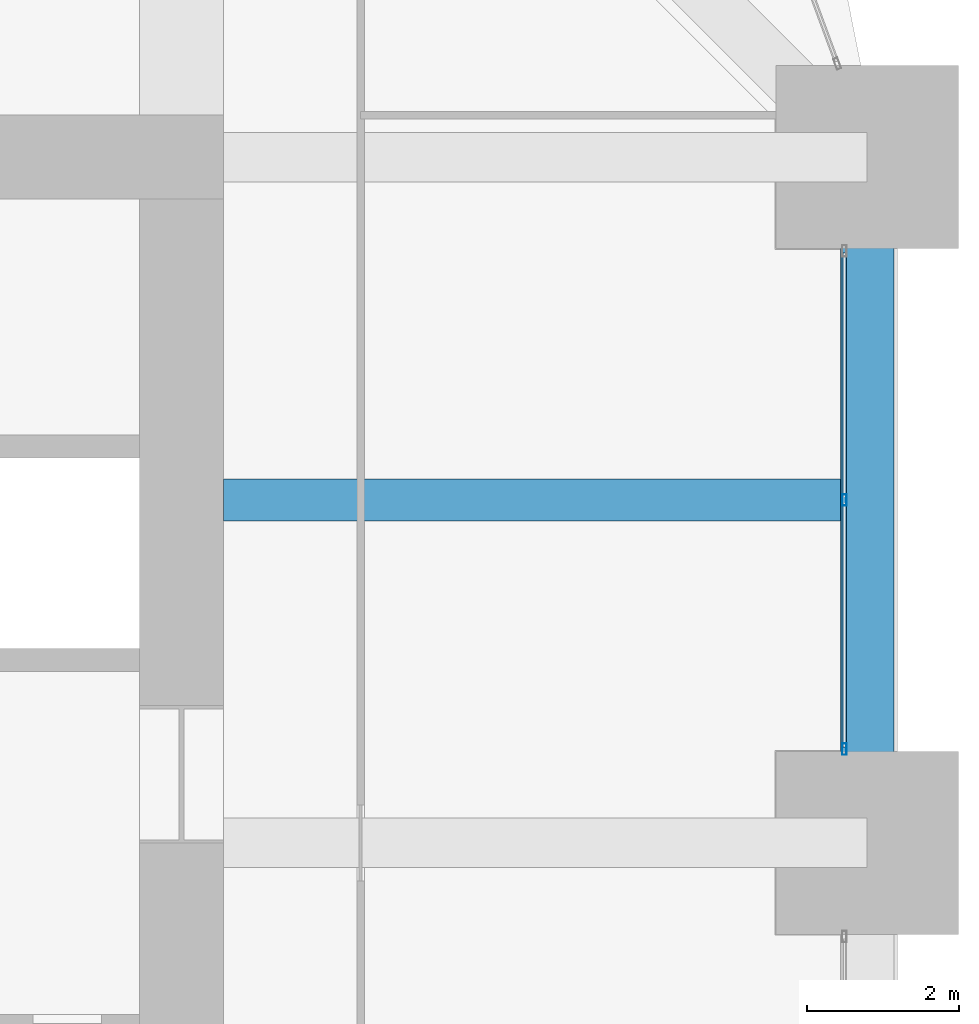
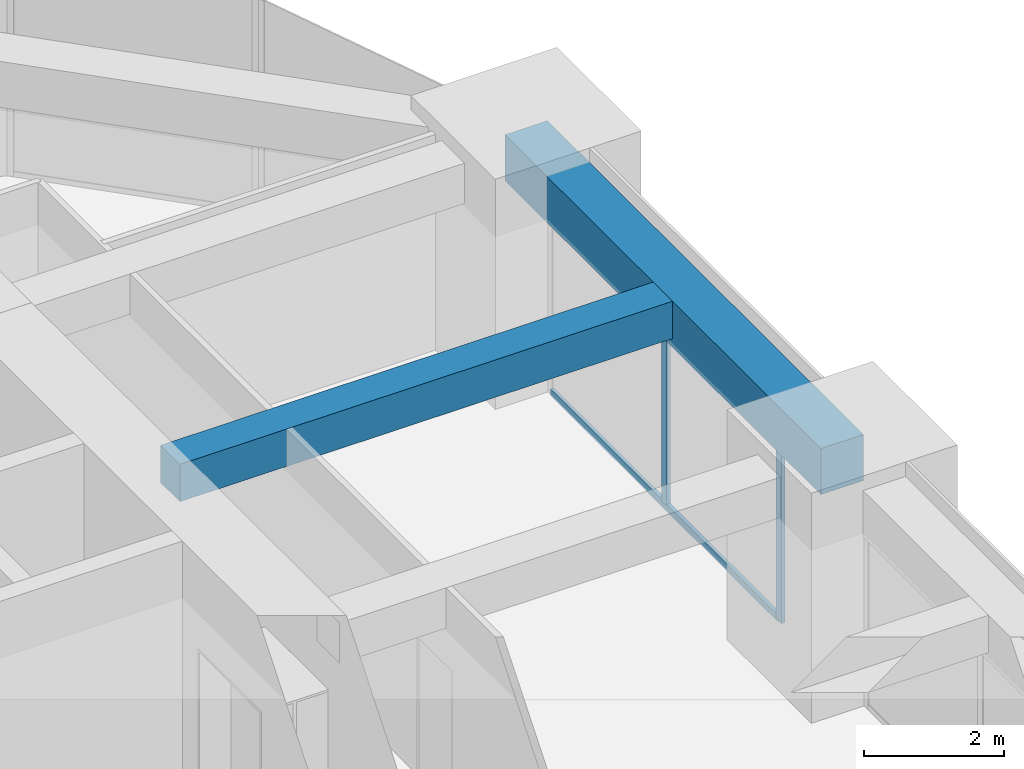
# One storey, part 19 of 34: 3 members, 2 beams, 1 element without a shape of its own.
"""IFC4 building model written with IfcOpenShell, lengths in metres."""

from ifc_helpers import new_model, si_unit, direction, frame, origin, origin_2d, place, context, subcontext, project, spatial, rectangle, hollow_rectangle, extrude, material, material_profile, profile_set, type_object, element, aggregate, save


model = new_model("IFC4")

# Units and contexts
model_context = context("Model", 3, precision=1e-05, world=origin(), true_north=direction((0.0, 1.0)))
body_context = subcontext(model_context, "Body", "Model", "MODEL_VIEW")
ifc_project = project(units=[si_unit("LENGTHUNIT", "METRE"), si_unit("AREAUNIT", "SQUARE_METRE"), si_unit("VOLUMEUNIT", "CUBIC_METRE"), si_unit("PLANEANGLEUNIT", "RADIAN"), si_unit("MASSUNIT", "GRAM", prefix="KILO")], contexts=[model_context])

# Site, building, storey
site_placement = place(None, origin())
site = spatial("IfcSite", under=ifc_project, at=site_placement, CompositionType="ELEMENT")
building_placement = place(site_placement, origin())
building = spatial("IfcBuilding", under=site, at=building_placement, Name="Zorevar Civic Tower", CompositionType="ELEMENT")
storey_placement = place(building_placement, frame((0.0, 0.0, 170.199951171875)))
storey = spatial("IfcBuildingStorey", under=building, at=storey_placement, Name="L41", CompositionType="ELEMENT", Elevation=170.199951171875)

# Beam
ifc_material_1 = material(Name="Concrete C50/60", Category="concrete")
ifc_material_profile_1 = material_profile(ifc_material_1, rectangle(XDim=0.550048828125, YDim=0.64990234375, at=origin_2d()), Name="RC 550x650")
ifc_profile_set_1 = profile_set([ifc_material_profile_1], Name="Concrete C50/60")
beam_type_1 = type_object("IfcBeamType", Name="Beam RC 550x650", PredefinedType="BEAM", material=ifc_profile_set_1)
beam_1_placement = place(storey_placement, frame((45.550048828125, 31.5, 3.425048828125), z_axis=(1.0, 0.0, 0.0), x_axis=(0.0, 1.0, 0.0)))
element("IfcBeam", 1, at=beam_1_placement, inside=storey, type_object=beam_type_1, Name="Secondary beam L42", PredefinedType="BEAM", context=body_context, shape_type="SweptSolid", body=[
    extrude(rectangle(XDim=0.550048828125, YDim=0.64990234375, at=origin_2d()), origin(), (0.0, 0.0, 1.0), 8.099853515625),
])

# Curtain wall, members
ifc_material_2 = material(Name="Dark grey solar-control glass in black aluminium frame", Category="aluminium")
curtain_wall_type = type_object("IfcCurtainWallType", Name="Curtain wall CW4 high zone", PredefinedType="NOTDEFINED", material=ifc_material_2)
curtain_wall_placement = place(storey_placement, origin())
curtain_wall = element("IfcCurtainWall", 2, at=curtain_wall_placement, inside=storey, type_object=curtain_wall_type, Name="CW4 L41", PredefinedType="NOTDEFINED")
ifc_material_3 = material(Name="Aluminium, black anodised", Category="aluminium")
ifc_material_profile_2 = material_profile(ifc_material_3, hollow_rectangle(XDim=0.06005859375, YDim=0.14990234375, WallThickness=0.00390625, at=origin_2d()), Name="AL 150x60x4")
ifc_profile_set_2 = profile_set([ifc_material_profile_2], Name="Aluminium, black anodised")
member_type_1 = type_object("IfcMemberType", Name="CW4 mullion AL 150x60x4", PredefinedType="MULLION", material=ifc_profile_set_2)
member_1_placement = place(storey_placement, frame((53.699951171875, 28.22998046875, 0.0), z_axis=(0.0, 0.0, 1.0), x_axis=(-1.0, 0.0, 0.0)))
member_1 = element("IfcMember", 3, at=member_1_placement, type_object=member_type_1, Name="CW4 mullion 1", PredefinedType="MULLION", context=body_context, shape_type="SweptSolid", body=[
    extrude(hollow_rectangle(XDim=0.06005859375, YDim=0.14990234375, WallThickness=0.00390625, at=origin_2d()), origin(), (0.0, 0.0, 1.0), 2.949951171875),
])
member_2_placement = place(storey_placement, frame((53.699951171875, 31.5, 0.06005859375), z_axis=(0.0, 0.0, 1.0), x_axis=(-1.0, 0.0, 0.0)))
member_2 = element("IfcMember", 4, at=member_2_placement, type_object=member_type_1, Name="CW4 mullion 2", PredefinedType="MULLION", context=body_context, shape_type="SweptSolid", body=[
    extrude(hollow_rectangle(XDim=0.06005859375, YDim=0.14990234375, WallThickness=0.00390625, at=origin_2d()), origin(), (0.0, 0.0, 1.0), 2.889892578125),
])
ifc_material_4 = material(Name="Aluminium, black anodised", Category="aluminium")
ifc_material_profile_3 = material_profile(ifc_material_4, hollow_rectangle(XDim=0.06005859375, YDim=0.1201171875, WallThickness=0.0029296875, at=origin_2d()), Name="AL 120x60x3")
ifc_profile_set_3 = profile_set([ifc_material_profile_3], Name="Aluminium, black anodised")
member_type_2 = type_object("IfcMemberType", Name="CW4 transom AL 120x60x3", PredefinedType="USERDEFINED", material=ifc_profile_set_3)
member_3_placement = place(storey_placement, frame((53.699951171875, 28.260009765625, 0.030029296875), z_axis=(0.0, 1.0, 0.0), x_axis=(-1.0, 0.0, 0.0)))
member_3 = element("IfcMember", 5, at=member_3_placement, type_object=member_type_2, Name="CW4 sill transom", ObjectType="TRANSOM", PredefinedType="USERDEFINED", context=body_context, shape_type="SweptSolid", body=[
    extrude(hollow_rectangle(XDim=0.06005859375, YDim=0.1201171875, WallThickness=0.0029296875, at=origin_2d()), origin(), (0.0, 0.0, 1.0), 6.47998046875),
])
aggregate(curtain_wall, [member_1, member_2, member_3])

# Beam
ifc_material_5 = material(Name="Concrete C50/60", Category="concrete")
ifc_material_profile_4 = material_profile(ifc_material_5, rectangle(XDim=0.699951171875, YDim=0.800048828125, at=origin_2d()), Name="RC 700x800")
ifc_profile_set_4 = profile_set([ifc_material_profile_4], Name="Concrete C50/60")
beam_type_2 = type_object("IfcBeamType", Name="Edge beam RC 700x800", PredefinedType="SPANDREL", material=ifc_profile_set_4)
beam_2_placement = place(storey_placement, frame((54.0, 27.0, 3.35009765625), z_axis=(0.0, 1.0, 0.0), x_axis=(-1.0, 0.0, 0.0)))
element("IfcBeam", 6, at=beam_2_placement, inside=storey, type_object=beam_type_2, Name="Edge beam L42", PredefinedType="SPANDREL", context=body_context, shape_type="SweptSolid", body=[
    extrude(rectangle(XDim=0.699951171875, YDim=0.800048828125, at=origin_2d()), origin(), (0.0, 0.0, 1.0), 9.0),
])

save(model, "model.ifc")
